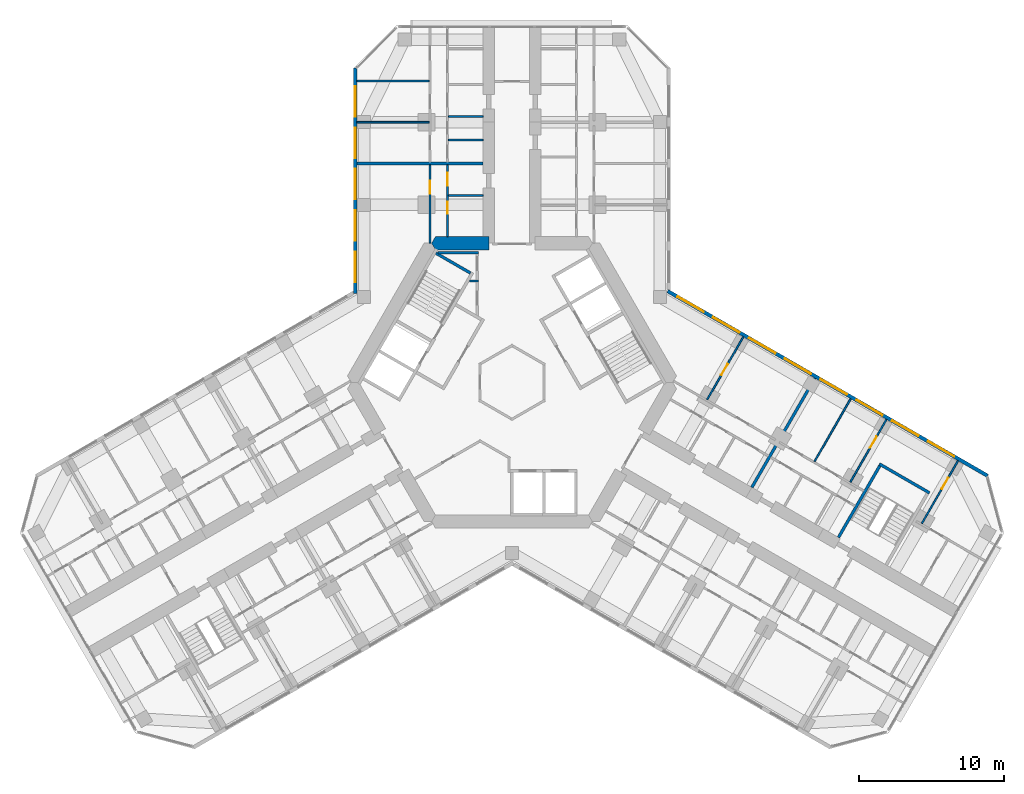
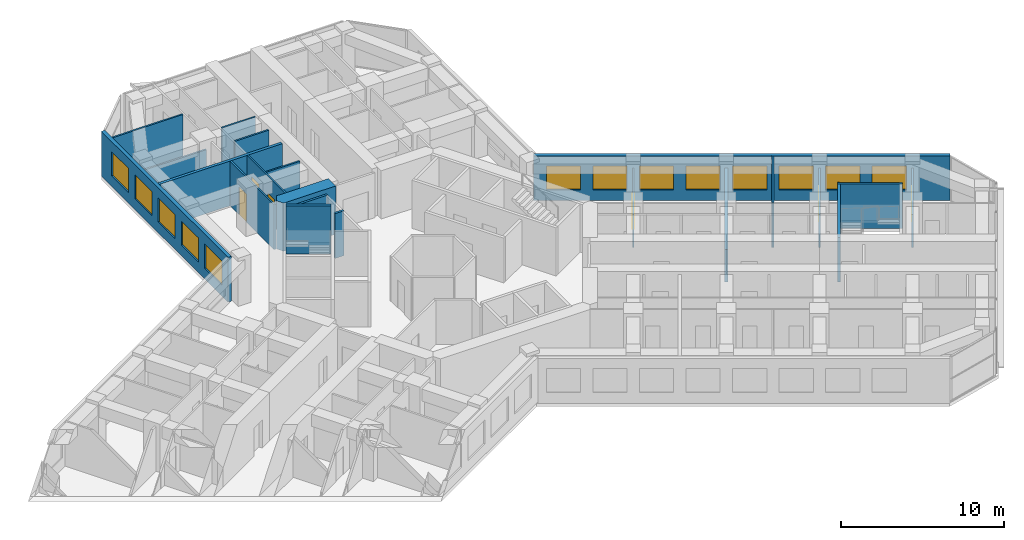
# One storey, part 16 of 19: 21 walls, 13 windows, 6 doors, 19 openings.
"""IFC4 building model written with IfcOpenShell, lengths in metres."""

from ifc_helpers import new_model, si_unit, direction, frame, frame_2d, origin, place, context, subcontext, project, spatial, polyline, rectangle, outline, extrude, material, layer, layer_set, type_object, element, fill, save


model = new_model("IFC4")

# Units and contexts
model_context = context("Model", 3, precision=1e-05, world=origin(), true_north=direction((0.0, 1.0)))
body_context = subcontext(model_context, "Body", "Model", "MODEL_VIEW")
ifc_project = project(units=[si_unit("LENGTHUNIT", "METRE"), si_unit("AREAUNIT", "SQUARE_METRE"), si_unit("VOLUMEUNIT", "CUBIC_METRE"), si_unit("PLANEANGLEUNIT", "RADIAN"), si_unit("MASSUNIT", "GRAM", prefix="KILO")], contexts=[model_context])

# Site, building, storey
site_placement = place(None, origin())
site = spatial("IfcSite", under=ifc_project, at=site_placement, CompositionType="ELEMENT")
building_placement = place(site_placement, origin())
building = spatial("IfcBuilding", under=site, at=building_placement, Name="Kosmar Iwan School Tower", CompositionType="ELEMENT")
storey_placement = place(building_placement, frame((0.0, 0.0, 161.60009765625)))
storey = spatial("IfcBuildingStorey", under=building, at=storey_placement, Name="L40", CompositionType="ELEMENT", Elevation=161.60009765625)

# Walls
ifc_material_1 = material(Name="Gypsum board on steel studs, fire-rated", Category="steel")
ifc_layer_1 = layer(ifc_material_1, 0.14990234375)
ifc_layer_set_1 = layer_set([ifc_layer_1], Name="Core room partition 150")
wall_type_1 = type_object("IfcWallType", Name="Core room partition 150", PredefinedType="PARTITIONING", material=ifc_layer_set_1)
wall_1_placement = place(storey_placement, frame((-2.324951171875, 6.985107421875, 0.0), z_axis=(0.0, 0.0, 1.0), x_axis=(-1.0, 0.0, 0.0)))
element("IfcWall", 1, at=wall_1_placement, inside=storey, type_object=wall_type_1, Name="Core room partition L40-CW2", PredefinedType="PARTITIONING", context=body_context, shape_type="SweptSolid", body=[
    extrude(rectangle(XDim=0.623779296875, YDim=0.14990234375, at=frame_2d((0.31201171875, 0.0))), origin(), (0.0, 0.0, 1.0), 3.349853515625),
])
wall_2_placement = place(storey_placement, frame((-5.089599609375, 8.93994140625, 0.0), z_axis=(0.0, 0.0, 1.0), x_axis=(1.0, 0.0, 0.0)))
element("IfcWall", 2, at=wall_2_placement, inside=storey, type_object=wall_type_1, Name="Core room partition L40-CW3", PredefinedType="PARTITIONING", context=body_context, shape_type="SweptSolid", body=[
    extrude(rectangle(XDim=2.7646484375, YDim=0.14990234375, at=frame_2d((1.38232421875, 0.0))), origin(), (0.0, 0.0, 1.0), 3.349853515625),
])
ifc_material_2 = material(Name="Concrete C50/60", Category="concrete")
ifc_layer_2 = layer(ifc_material_2, 0.89990234375)
ifc_layer_set_2 = layer_set([ifc_layer_2], Name="Core wall 900")
wall_type_2 = type_object("IfcWallType", Name="Core wall 900", PredefinedType="SHEAR", material=ifc_layer_set_2)
wall_3_placement = place(storey_placement, origin())
element("IfcWall", 3, at=wall_3_placement, inside=storey, type_object=wall_type_2, Name="Core wall F090b", PredefinedType="SHEAR", context=body_context, shape_type="SweptSolid", body=[
    extrude(outline(polyline([(-5.28271484375, 9.14990234375), (-1.60009765625, 9.14990234375), (-1.60009765625, 10.050048828125), (-5.28271484375, 10.050048828125), (-5.54248046875, 9.60009765625), (-5.28271484375, 9.14990234375)])), origin(), (0.0, 0.0, 1.0), 3.599853515625),
])

# Wall, openings, doors
ifc_material_3 = material(Name="Gypsum board on steel studs", Category="steel")
ifc_layer_3 = layer(ifc_material_3, 0.1201171875)
ifc_layer_set_3 = layer_set([ifc_layer_3], Name="Dwelling partition 120")
wall_type_3 = type_object("IfcWallType", Name="Dwelling partition 120", PredefinedType="PARTITIONING", material=ifc_layer_set_3)
wall_4_placement = place(storey_placement, frame((-4.449951171875, 10.050048828125, 0.0), z_axis=(0.0, 0.0, 1.0), x_axis=(0.0, 1.0, 0.0)))
wall_4 = element("IfcWall", 4, at=wall_4_placement, inside=storey, type_object=wall_type_3, Name="Partition L40-AL1-W1", PredefinedType="PARTITIONING", context=body_context, shape_type="SweptSolid", body=[
    extrude(rectangle(XDim=4.949951171875, YDim=0.1201171875, at=frame_2d((2.47509765625, 0.0))), origin(), (0.0, 0.0, 1.0), 3.349853515625),
])
opening_1_placement = place(wall_4_placement, frame((1.60009765625, 0.0, 0.0)))
opening_1 = element("IfcOpeningElement", 5, at=opening_1_placement, cuts=wall_4, Name="Opening D3", PredefinedType="OPENING", context=body_context, shape_type="SweptSolid", body=[
    extrude(rectangle(XDim=0.800048828125, YDim=2.10009765625, at=frame_2d((0.39990234375, 1.050048828125))), frame((0.0, 0.072021484375, 0.0), z_axis=(0.0, -1.0, 0.0), x_axis=(1.0, 0.0, 0.0)), (0.0, 0.0, 1.0), 0.14404296875),
])
opening_2_placement = place(wall_4_placement, frame((3.5, 0.0, 0.0)))
opening_2 = element("IfcOpeningElement", 6, at=opening_2_placement, cuts=wall_4, Name="Opening D2", PredefinedType="OPENING", context=body_context, shape_type="SweptSolid", body=[
    extrude(rectangle(XDim=0.89990234375, YDim=2.10009765625, at=frame_2d((0.449951171875, 1.050048828125))), frame((0.0, 0.072021484375, 0.0), z_axis=(0.0, -1.0, 0.0), x_axis=(1.0, 0.0, 0.0)), (0.0, 0.0, 1.0), 0.14404296875),
])
ifc_material_4 = material(Name="Timber door in timber frame", Category="wood")
door_type_1 = type_object("IfcDoorType", Name="Internal door 900x2100", OperationType="SINGLE_SWING_LEFT", PredefinedType="DOOR", material=ifc_material_4)
door_1_placement = place(opening_2_placement, origin())
door_1 = element("IfcDoor", 7, at=door_1_placement, inside=storey, type_object=door_type_1, Name="Entrance hall door L40-AL1-S2", OperationType="SINGLE_SWING_RIGHT", OverallHeight=2.10009765625, OverallWidth=0.89990234375, PredefinedType="DOOR", context=body_context, shape_type="SweptSolid", body=[
    extrude(rectangle(XDim=0.89990234375, YDim=2.10009765625, at=frame_2d((0.449951171875, 1.050048828125))), frame((0.0, 0.02490234375, 0.0), z_axis=(0.0, -1.0, 0.0), x_axis=(1.0, 0.0, 0.0)), (0.0, 0.0, 1.0), 0.050048828125),
])
fill(opening_2, door_1)
ifc_material_5 = material(Name="Timber door in timber frame", Category="wood")
door_type_2 = type_object("IfcDoorType", Name="Sanitary room door 800x2100", OperationType="SINGLE_SWING_LEFT", PredefinedType="DOOR", material=ifc_material_5)
door_2_placement = place(opening_1_placement, origin())
door_2 = element("IfcDoor", 8, at=door_2_placement, inside=storey, type_object=door_type_2, Name="Bathroom door L40-AL1-S1", OperationType="SINGLE_SWING_LEFT", OverallHeight=2.10009765625, OverallWidth=0.800048828125, PredefinedType="DOOR", context=body_context, shape_type="SweptSolid", body=[
    extrude(rectangle(XDim=0.800048828125, YDim=2.10009765625, at=frame_2d((0.39990234375, 1.050048828125))), frame((0.0, 0.02490234375, 0.0), z_axis=(0.0, -1.0, 0.0), x_axis=(1.0, 0.0, 0.0)), (0.0, 0.0, 1.0), 0.050048828125),
])
fill(opening_1, door_2)

# Wall, opening, door
wall_5_placement = place(storey_placement, frame((-5.64990234375, 9.60009765625, 0.0), z_axis=(0.0, 0.0, 1.0), x_axis=(0.0, 1.0, 0.0)))
wall_5 = element("IfcWall", 9, at=wall_5_placement, inside=storey, type_object=wall_type_3, Name="Partition L40-AL1-W2", PredefinedType="PARTITIONING", context=body_context, shape_type="SweptSolid", body=[
    extrude(rectangle(XDim=5.39990234375, YDim=0.1201171875, at=frame_2d((2.699951171875, 0.0))), origin(), (0.0, 0.0, 1.0), 3.349853515625),
])
opening_3_placement = place(wall_5_placement, frame((3.39990234375, 0.0, 0.0)))
opening_3 = element("IfcOpeningElement", 10, at=opening_3_placement, cuts=wall_5, Name="Opening D2", PredefinedType="OPENING", context=body_context, shape_type="SweptSolid", body=[
    extrude(rectangle(XDim=0.89990234375, YDim=2.10009765625, at=frame_2d((0.449951171875, 1.050048828125))), frame((0.0, 0.072021484375, 0.0), z_axis=(0.0, -1.0, 0.0), x_axis=(1.0, 0.0, 0.0)), (0.0, 0.0, 1.0), 0.14404296875),
])
door_3_placement = place(opening_3_placement, origin())
door_3 = element("IfcDoor", 11, at=door_3_placement, inside=storey, type_object=door_type_1, Name="Studio living room and kitchen door L40-AL1-F1", OperationType="SINGLE_SWING_RIGHT", OverallHeight=2.10009765625, OverallWidth=0.89990234375, PredefinedType="DOOR", context=body_context, shape_type="SweptSolid", body=[
    extrude(rectangle(XDim=0.89990234375, YDim=2.10009765625, at=frame_2d((0.449951171875, 1.050048828125))), frame((0.0, 0.02490234375, 0.0), z_axis=(0.0, -1.0, 0.0), x_axis=(1.0, 0.0, 0.0)), (0.0, 0.0, 1.0), 0.050048828125),
])
fill(opening_3, door_3)

# Walls
wall_6_placement = place(storey_placement, frame((-2.0, 12.89990234375, 0.0), z_axis=(0.0, 0.0, 1.0), x_axis=(-1.0, 0.0, 0.0)))
element("IfcWall", 12, at=wall_6_placement, inside=storey, type_object=wall_type_3, Name="Partition L40-AL1-Y1", PredefinedType="PARTITIONING", context=body_context, shape_type="SweptSolid", body=[
    extrude(rectangle(XDim=2.389892578125, YDim=0.1201171875, at=frame_2d((1.19482421875, 0.0))), origin(), (0.0, 0.0, 1.0), 3.349853515625),
])
wall_7_placement = place(storey_placement, frame((-5.7099609375, 17.949951171875, 0.0), z_axis=(0.0, 0.0, 1.0), x_axis=(-1.0, 0.0, 0.0)))
element("IfcWall", 13, at=wall_7_placement, inside=storey, type_object=wall_type_3, Name="Partition L40-AL2-X1", PredefinedType="PARTITIONING", context=body_context, shape_type="SweptSolid", body=[
    extrude(rectangle(XDim=4.989990234375, YDim=0.1201171875, at=frame_2d((2.4951171875, 0.0))), origin(), (0.0, 0.0, 1.0), 2.449951171875),
])
wall_8_placement = place(storey_placement, frame((-5.7099609375, 20.800048828125, 0.0), z_axis=(0.0, 0.0, 1.0), x_axis=(-1.0, 0.0, 0.0)))
element("IfcWall", 14, at=wall_8_placement, inside=storey, type_object=wall_type_3, Name="Partition L40-AL2-X2", PredefinedType="PARTITIONING", context=body_context, shape_type="SweptSolid", body=[
    extrude(rectangle(XDim=4.989990234375, YDim=0.1201171875, at=frame_2d((2.4951171875, 0.0))), origin(), (0.0, 0.0, 1.0), 3.349853515625),
])
for number, where, z_axis, x_axis, name in (
    (15, (-2.0, 16.72509765625, 0.0), (0.0, 0.0, 1.0), (-1.0, 0.0, 0.0), "Partition L40-AL2-Y1"),
    (16, (-2.0, 18.35009765625, 0.0), (0.0, 0.0, 1.0), (-1.0, 0.0, 0.0), "Partition L40-AL2-Y2"),
):
    element("IfcWall", number, at=place(storey_placement, frame(where, z_axis=z_axis, x_axis=x_axis)), inside=storey, type_object=wall_type_3, Name=name, PredefinedType="PARTITIONING", context=body_context, shape_type="SweptSolid", body=[
        extrude(rectangle(XDim=2.389892578125, YDim=0.1201171875, at=frame_2d((1.19482421875, 0.0))), origin(), (0.0, 0.0, 1.0), 3.349853515625),
    ])

# Wall, opening, door
wall_9_placement = place(storey_placement, frame((13.4638671875, -1.179931640625, 0.0), z_axis=(0.0, 0.0, 1.0), x_axis=(0.499975153383, 0.86603974851, 0.0)))
wall_9 = element("IfcWall", 17, at=wall_9_placement, inside=storey, type_object=wall_type_3, Name="Partition L40-CL1-X1", PredefinedType="PARTITIONING", context=body_context, shape_type="SweptSolid", body=[
    extrude(rectangle(XDim=4.989990234375, YDim=0.1201171875, at=frame_2d((2.4951171875, 0.0))), origin(), (0.0, 0.0, 1.0), 2.449951171875),
])
opening_4_placement = place(wall_9_placement, frame((1.93994140625, 0.0, 0.0)))
opening_4 = element("IfcOpeningElement", 18, at=opening_4_placement, cuts=wall_9, Name="Opening D2", PredefinedType="OPENING", context=body_context, shape_type="SweptSolid", body=[
    extrude(rectangle(XDim=0.89990234375, YDim=2.10009765625, at=frame_2d((0.449951171875, 1.050048828125))), frame((0.0, 0.072021484375, 0.0), z_axis=(0.0, -1.0, 0.0), x_axis=(1.0, 0.0, 0.0)), (0.0, 0.0, 1.0), 0.14404296875),
])
door_4_placement = place(opening_4_placement, origin())
door_4 = element("IfcDoor", 19, at=door_4_placement, inside=storey, type_object=door_type_1, Name="Kitchen and dining room door L40-CL1-F1", OperationType="SINGLE_SWING_LEFT", OverallHeight=2.10009765625, OverallWidth=0.89990234375, PredefinedType="DOOR", context=body_context, shape_type="SweptSolid", body=[
    extrude(rectangle(XDim=0.89990234375, YDim=2.10009765625, at=frame_2d((0.449951171875, 1.050048828125))), frame((0.0, 0.02490234375, 0.0), z_axis=(0.0, -1.0, 0.0), x_axis=(1.0, 0.0, 0.0)), (0.0, 0.0, 1.0), 0.050048828125),
])
fill(opening_4, door_4)

# Wall
wall_10_placement = place(storey_placement, frame((20.868408203125, -5.455078125, 0.0), z_axis=(0.0, 0.0, 1.0), x_axis=(0.499975153383, 0.86603974851, 0.0)))
element("IfcWall", 20, at=wall_10_placement, inside=storey, type_object=wall_type_3, Name="Partition L40-CL2-X1", PredefinedType="PARTITIONING", context=body_context, shape_type="SweptSolid", body=[
    extrude(rectangle(XDim=4.989990234375, YDim=0.1201171875, at=frame_2d((2.4951171875, 0.0))), origin(), (0.0, 0.0, 1.0), 3.349853515625),
])

# Wall, opening, door
wall_11_placement = place(storey_placement, frame((23.33642578125, -6.8798828125, 0.0), z_axis=(0.0, 0.0, 1.0), x_axis=(0.500033033937, 0.866006330792, 0.0)))
wall_11 = element("IfcWall", 21, at=wall_11_placement, inside=storey, type_object=wall_type_3, Name="Partition L40-CL2-TB", PredefinedType="PARTITIONING", context=body_context, shape_type="SweptSolid", body=[
    extrude(rectangle(XDim=4.989990234375, YDim=0.1201171875, at=frame_2d((2.4951171875, 0.0))), origin(), (0.0, 0.0, 1.0), 2.449951171875),
])
opening_5_placement = place(wall_11_placement, frame((2.739990234375, 0.0, 0.0)))
opening_5 = element("IfcOpeningElement", 22, at=opening_5_placement, cuts=wall_11, Name="Opening D2", PredefinedType="OPENING", context=body_context, shape_type="SweptSolid", body=[
    extrude(rectangle(XDim=0.89990234375, YDim=2.10009765625, at=frame_2d((0.449951171875, 1.050048828125))), frame((0.0, 0.072021484375, 0.0), z_axis=(0.0, -1.0, 0.0), x_axis=(1.0, 0.0, 0.0)), (0.0, 0.0, 1.0), 0.14404296875),
])
door_5_placement = place(opening_5_placement, origin())
door_5 = element("IfcDoor", 23, at=door_5_placement, inside=storey, type_object=door_type_1, Name="Study door L40-CL2-F2", OperationType="SINGLE_SWING_RIGHT", OverallHeight=2.10009765625, OverallWidth=0.89990234375, PredefinedType="DOOR", context=body_context, shape_type="SweptSolid", body=[
    extrude(rectangle(XDim=0.89990234375, YDim=2.10009765625, at=frame_2d((0.449951171875, 1.050048828125))), frame((0.0, 0.02490234375, 0.0), z_axis=(0.0, -1.0, 0.0), x_axis=(1.0, 0.0, 0.0)), (0.0, 0.0, 1.0), 0.050048828125),
])
fill(opening_5, door_5)

wall_12_placement = place(storey_placement, frame((28.27294921875, -9.72998046875, 0.0), z_axis=(0.0, 0.0, 1.0), x_axis=(0.499975153383, 0.86603974851, 0.0)))
wall_12 = element("IfcWall", 24, at=wall_12_placement, inside=storey, type_object=wall_type_3, Name="Partition L40-CL2-TX", PredefinedType="PARTITIONING", context=body_context, shape_type="SweptSolid", body=[
    extrude(rectangle(XDim=4.989990234375, YDim=0.1201171875, at=frame_2d((2.4951171875, 0.0))), origin(), (0.0, 0.0, 1.0), 2.449951171875),
])
opening_6_placement = place(wall_12_placement, frame((2.739990234375, 0.0, 0.0)))
opening_6 = element("IfcOpeningElement", 25, at=opening_6_placement, cuts=wall_12, Name="Opening D2", PredefinedType="OPENING", context=body_context, shape_type="SweptSolid", body=[
    extrude(rectangle(XDim=0.89990234375, YDim=2.10009765625, at=frame_2d((0.449951171875, 1.050048828125))), frame((0.0, 0.072021484375, 0.0), z_axis=(0.0, -1.0, 0.0), x_axis=(1.0, 0.0, 0.0)), (0.0, 0.0, 1.0), 0.14404296875),
])
door_6_placement = place(opening_6_placement, origin())
door_6 = element("IfcDoor", 26, at=door_6_placement, inside=storey, type_object=door_type_1, Name="Study door L40-CL2-T1", OperationType="SINGLE_SWING_RIGHT", OverallHeight=2.10009765625, OverallWidth=0.89990234375, PredefinedType="DOOR", context=body_context, shape_type="SweptSolid", body=[
    extrude(rectangle(XDim=0.89990234375, YDim=2.10009765625, at=frame_2d((0.449951171875, 1.050048828125))), frame((0.0, 0.02490234375, 0.0), z_axis=(0.0, -1.0, 0.0), x_axis=(1.0, 0.0, 0.0)), (0.0, 0.0, 1.0), 0.050048828125),
])
fill(opening_6, door_6)

# Walls
ifc_material_6 = material(Name="Concrete C35/45", Category="concrete")
ifc_layer_4 = layer(ifc_material_6, 0.199951171875)
ifc_layer_set_4 = layer_set([ifc_layer_4], Name="Escape stair wall 200")
wall_type_4 = type_object("IfcWallType", Name="Escape stair wall 200", PredefinedType="SHEAR", material=ifc_layer_set_4)
wall_13_placement = place(storey_placement, frame((22.520751953125, -10.69287109375, 0.0), z_axis=(0.0, 0.0, 1.0), x_axis=(0.500006628179, 0.86602157697, 0.0)))
element("IfcWall", 27, at=wall_13_placement, inside=storey, type_object=wall_type_4, Name="Stair WS3 wall", PredefinedType="SHEAR", context=body_context, shape_type="SweptSolid", body=[
    extrude(rectangle(XDim=5.89990234375, YDim=0.199951171875, at=frame_2d((2.949951171875, 0.0))), origin(), (0.0, 0.0, 1.0), 3.329833984375),
])
wall_14_placement = place(storey_placement, frame((25.334228515625, -5.6201171875, 0.0), z_axis=(0.0, 0.0, 1.0), x_axis=(0.866026010844, -0.49999894854, 0.0)))
element("IfcWall", 28, at=wall_14_placement, inside=storey, type_object=wall_type_4, Name="Stair WS3 wall", PredefinedType="SHEAR", context=body_context, shape_type="SweptSolid", body=[
    extrude(rectangle(XDim=4.0, YDim=0.199951171875, at=frame_2d((2.0, 0.0))), origin(), (0.0, 0.0, 1.0), 3.329833984375),
])

# Wall, openings, windows
ifc_material_7 = material(Name="Black aluminium rainscreen on insulated framing", Category="aluminium")
ifc_layer_5 = layer(ifc_material_7, 0.25)
ifc_layer_set_5 = layer_set([ifc_layer_5], Name="External wall rainscreen 250")
wall_type_5 = type_object("IfcWallType", Name="External wall rainscreen 250", PredefinedType="SOLIDWALL", material=ifc_layer_set_5)
wall_15_placement = place(storey_placement, frame((10.73681640625, 6.30078125, 0.0), z_axis=(0.0, 0.0, 1.0), x_axis=(0.866026390279, -0.499998291337, 0.0)))
wall_15 = element("IfcWall", 29, at=wall_15_placement, inside=storey, type_object=wall_type_5, Name="External wall CL L40", PredefinedType="SOLIDWALL", context=body_context, shape_type="SweptSolid", body=[
    extrude(rectangle(XDim=25.4873046875, YDim=0.25, at=frame_2d((12.74365234375, 0.0))), origin(), (0.0, 0.0, 1.0), 3.349853515625),
])
opening_7_placement = place(wall_15_placement, frame((0.777099609375, 0.0, 0.800048828125)))
opening_7 = element("IfcOpeningElement", 30, at=opening_7_placement, cuts=wall_15, Name="Opening W4", PredefinedType="OPENING", context=body_context, shape_type="SweptSolid", body=[
    extrude(rectangle(XDim=2.10009765625, YDim=1.800048828125, at=frame_2d((1.050048828125, 0.89990234375))), frame((0.0, 0.136962890625, 0.0), z_axis=(0.0, -1.0, 0.0), x_axis=(1.0, 0.0, 0.0)), (0.0, 0.0, 1.0), 0.27392578125),
])
opening_8_placement = place(wall_15_placement, frame((3.626953125, 0.0, 0.800048828125)))
opening_8 = element("IfcOpeningElement", 31, at=opening_8_placement, cuts=wall_15, Name="Opening W4", PredefinedType="OPENING", context=body_context, shape_type="SweptSolid", body=[
    extrude(rectangle(XDim=2.10009765625, YDim=1.800048828125, at=frame_2d((1.050048828125, 0.89990234375))), frame((0.0, 0.136962890625, 0.0), z_axis=(0.0, -1.0, 0.0), x_axis=(1.0, 0.0, 0.0)), (0.0, 0.0, 1.0), 0.27392578125),
])
opening_9_placement = place(wall_15_placement, frame((6.47705078125, 0.0, 0.800048828125)))
opening_9 = element("IfcOpeningElement", 32, at=opening_9_placement, cuts=wall_15, Name="Opening W4", PredefinedType="OPENING", context=body_context, shape_type="SweptSolid", body=[
    extrude(rectangle(XDim=2.10009765625, YDim=1.800048828125, at=frame_2d((1.050048828125, 0.89990234375))), frame((0.0, 0.136962890625, 0.0), z_axis=(0.0, -1.0, 0.0), x_axis=(1.0, 0.0, 0.0)), (0.0, 0.0, 1.0), 0.27392578125),
])
opening_10_placement = place(wall_15_placement, frame((9.326904296875, 0.0, 0.800048828125)))
opening_10 = element("IfcOpeningElement", 33, at=opening_10_placement, cuts=wall_15, Name="Opening W4", PredefinedType="OPENING", context=body_context, shape_type="SweptSolid", body=[
    extrude(rectangle(XDim=2.10009765625, YDim=1.800048828125, at=frame_2d((1.050048828125, 0.89990234375))), frame((0.0, 0.136962890625, 0.0), z_axis=(0.0, -1.0, 0.0), x_axis=(1.0, 0.0, 0.0)), (0.0, 0.0, 1.0), 0.27392578125),
])
opening_11_placement = place(wall_15_placement, frame((12.177001953125, 0.0, 0.800048828125)))
opening_11 = element("IfcOpeningElement", 34, at=opening_11_placement, cuts=wall_15, Name="Opening W4", PredefinedType="OPENING", context=body_context, shape_type="SweptSolid", body=[
    extrude(rectangle(XDim=2.10009765625, YDim=1.800048828125, at=frame_2d((1.050048828125, 0.89990234375))), frame((0.0, 0.136962890625, 0.0), z_axis=(0.0, -1.0, 0.0), x_axis=(1.0, 0.0, 0.0)), (0.0, 0.0, 1.0), 0.27392578125),
])
opening_12_placement = place(wall_15_placement, frame((15.027099609375, 0.0, 0.800048828125)))
opening_12 = element("IfcOpeningElement", 35, at=opening_12_placement, cuts=wall_15, Name="Opening W4", PredefinedType="OPENING", context=body_context, shape_type="SweptSolid", body=[
    extrude(rectangle(XDim=2.10009765625, YDim=1.800048828125, at=frame_2d((1.050048828125, 0.89990234375))), frame((0.0, 0.136962890625, 0.0), z_axis=(0.0, -1.0, 0.0), x_axis=(1.0, 0.0, 0.0)), (0.0, 0.0, 1.0), 0.27392578125),
])
opening_13_placement = place(wall_15_placement, frame((17.876953125, 0.0, 0.800048828125)))
opening_13 = element("IfcOpeningElement", 36, at=opening_13_placement, cuts=wall_15, Name="Opening W4", PredefinedType="OPENING", context=body_context, shape_type="SweptSolid", body=[
    extrude(rectangle(XDim=2.10009765625, YDim=1.800048828125, at=frame_2d((1.050048828125, 0.89990234375))), frame((0.0, 0.136962890625, 0.0), z_axis=(0.0, -1.0, 0.0), x_axis=(1.0, 0.0, 0.0)), (0.0, 0.0, 1.0), 0.27392578125),
])
opening_14_placement = place(wall_15_placement, frame((20.72705078125, 0.0, 0.800048828125)))
opening_14 = element("IfcOpeningElement", 37, at=opening_14_placement, cuts=wall_15, Name="Opening W4", PredefinedType="OPENING", context=body_context, shape_type="SweptSolid", body=[
    extrude(rectangle(XDim=2.10009765625, YDim=1.800048828125, at=frame_2d((1.050048828125, 0.89990234375))), frame((0.0, 0.136962890625, 0.0), z_axis=(0.0, -1.0, 0.0), x_axis=(1.0, 0.0, 0.0)), (0.0, 0.0, 1.0), 0.27392578125),
])
ifc_material_8 = material(Name="Black aluminium frame with dark triple glazing", Category="aluminium")
window_type = type_object("IfcWindowType", Name="Window 2100x1800", PartitioningType="SINGLE_PANEL", PredefinedType="WINDOW", material=ifc_material_8)
window_1_placement = place(opening_7_placement, origin())
window_1 = element("IfcWindow", 38, at=window_1_placement, inside=storey, type_object=window_type, Name="Window CL L40 -1", OverallHeight=1.800048828125, OverallWidth=2.10009765625, PartitioningType="SINGLE_PANEL", PredefinedType="WINDOW", context=body_context, shape_type="SweptSolid", body=[
    extrude(rectangle(XDim=2.10009765625, YDim=1.800048828125, at=frame_2d((1.050048828125, 0.89990234375))), frame((0.0, 0.030029296875, 0.0), z_axis=(0.0, -1.0, 0.0), x_axis=(1.0, 0.0, 0.0)), (0.0, 0.0, 1.0), 0.06005859375),
])
fill(opening_7, window_1)
window_2_placement = place(opening_8_placement, origin())
window_2 = element("IfcWindow", 39, at=window_2_placement, inside=storey, type_object=window_type, Name="Window CL L40 0", OverallHeight=1.800048828125, OverallWidth=2.10009765625, PartitioningType="SINGLE_PANEL", PredefinedType="WINDOW", context=body_context, shape_type="SweptSolid", body=[
    extrude(rectangle(XDim=2.10009765625, YDim=1.800048828125, at=frame_2d((1.050048828125, 0.89990234375))), frame((0.0, 0.030029296875, 0.0), z_axis=(0.0, -1.0, 0.0), x_axis=(1.0, 0.0, 0.0)), (0.0, 0.0, 1.0), 0.06005859375),
])
fill(opening_8, window_2)
window_3_placement = place(opening_9_placement, origin())
window_3 = element("IfcWindow", 40, at=window_3_placement, inside=storey, type_object=window_type, Name="Window CL L40 1", OverallHeight=1.800048828125, OverallWidth=2.10009765625, PartitioningType="SINGLE_PANEL", PredefinedType="WINDOW", context=body_context, shape_type="SweptSolid", body=[
    extrude(rectangle(XDim=2.10009765625, YDim=1.800048828125, at=frame_2d((1.050048828125, 0.89990234375))), frame((0.0, 0.030029296875, 0.0), z_axis=(0.0, -1.0, 0.0), x_axis=(1.0, 0.0, 0.0)), (0.0, 0.0, 1.0), 0.06005859375),
])
fill(opening_9, window_3)
window_4_placement = place(opening_10_placement, origin())
window_4 = element("IfcWindow", 41, at=window_4_placement, inside=storey, type_object=window_type, Name="Window CL L40 2", OverallHeight=1.800048828125, OverallWidth=2.10009765625, PartitioningType="SINGLE_PANEL", PredefinedType="WINDOW", context=body_context, shape_type="SweptSolid", body=[
    extrude(rectangle(XDim=2.10009765625, YDim=1.800048828125, at=frame_2d((1.050048828125, 0.89990234375))), frame((0.0, 0.030029296875, 0.0), z_axis=(0.0, -1.0, 0.0), x_axis=(1.0, 0.0, 0.0)), (0.0, 0.0, 1.0), 0.06005859375),
])
fill(opening_10, window_4)
window_5_placement = place(opening_11_placement, origin())
window_5 = element("IfcWindow", 42, at=window_5_placement, inside=storey, type_object=window_type, Name="Window CL L40 3", OverallHeight=1.800048828125, OverallWidth=2.10009765625, PartitioningType="SINGLE_PANEL", PredefinedType="WINDOW", context=body_context, shape_type="SweptSolid", body=[
    extrude(rectangle(XDim=2.10009765625, YDim=1.800048828125, at=frame_2d((1.050048828125, 0.89990234375))), frame((0.0, 0.030029296875, 0.0), z_axis=(0.0, -1.0, 0.0), x_axis=(1.0, 0.0, 0.0)), (0.0, 0.0, 1.0), 0.06005859375),
])
fill(opening_11, window_5)
window_6_placement = place(opening_12_placement, origin())
window_6 = element("IfcWindow", 43, at=window_6_placement, inside=storey, type_object=window_type, Name="Window CL L40 4", OverallHeight=1.800048828125, OverallWidth=2.10009765625, PartitioningType="SINGLE_PANEL", PredefinedType="WINDOW", context=body_context, shape_type="SweptSolid", body=[
    extrude(rectangle(XDim=2.10009765625, YDim=1.800048828125, at=frame_2d((1.050048828125, 0.89990234375))), frame((0.0, 0.030029296875, 0.0), z_axis=(0.0, -1.0, 0.0), x_axis=(1.0, 0.0, 0.0)), (0.0, 0.0, 1.0), 0.06005859375),
])
fill(opening_12, window_6)
window_7_placement = place(opening_13_placement, origin())
window_7 = element("IfcWindow", 44, at=window_7_placement, inside=storey, type_object=window_type, Name="Window CL L40 5", OverallHeight=1.800048828125, OverallWidth=2.10009765625, PartitioningType="SINGLE_PANEL", PredefinedType="WINDOW", context=body_context, shape_type="SweptSolid", body=[
    extrude(rectangle(XDim=2.10009765625, YDim=1.800048828125, at=frame_2d((1.050048828125, 0.89990234375))), frame((0.0, 0.030029296875, 0.0), z_axis=(0.0, -1.0, 0.0), x_axis=(1.0, 0.0, 0.0)), (0.0, 0.0, 1.0), 0.06005859375),
])
fill(opening_13, window_7)
window_8_placement = place(opening_14_placement, origin())
window_8 = element("IfcWindow", 45, at=window_8_placement, inside=storey, type_object=window_type, Name="Window CL L40 6", OverallHeight=1.800048828125, OverallWidth=2.10009765625, PartitioningType="SINGLE_PANEL", PredefinedType="WINDOW", context=body_context, shape_type="SweptSolid", body=[
    extrude(rectangle(XDim=2.10009765625, YDim=1.800048828125, at=frame_2d((1.050048828125, 0.89990234375))), frame((0.0, 0.030029296875, 0.0), z_axis=(0.0, -1.0, 0.0), x_axis=(1.0, 0.0, 0.0)), (0.0, 0.0, 1.0), 0.06005859375),
])
fill(opening_14, window_8)

wall_16_placement = place(storey_placement, frame((-10.824951171875, 6.14794921875, 0.0), z_axis=(0.0, 0.0, 1.0), x_axis=(0.0, 1.0, 0.0)))
wall_16 = element("IfcWall", 46, at=wall_16_placement, inside=storey, type_object=wall_type_5, Name="External wall AL L40", PredefinedType="SOLIDWALL", context=body_context, shape_type="SweptSolid", body=[
    extrude(rectangle(XDim=15.537353515625, YDim=0.25, at=frame_2d((7.7685546875, 0.0))), origin(), (0.0, 0.0, 1.0), 3.349853515625),
])
opening_15_placement = place(wall_16_placement, frame((0.777099609375, 0.0, 0.800048828125)))
opening_15 = element("IfcOpeningElement", 47, at=opening_15_placement, cuts=wall_16, Name="Opening W4", PredefinedType="OPENING", context=body_context, shape_type="SweptSolid", body=[
    extrude(rectangle(XDim=2.10009765625, YDim=1.800048828125, at=frame_2d((1.050048828125, 0.89990234375))), frame((0.0, 0.136962890625, 0.0), z_axis=(0.0, -1.0, 0.0), x_axis=(1.0, 0.0, 0.0)), (0.0, 0.0, 1.0), 0.27392578125),
])
opening_16_placement = place(wall_16_placement, frame((3.626953125, 0.0, 0.800048828125)))
opening_16 = element("IfcOpeningElement", 48, at=opening_16_placement, cuts=wall_16, Name="Opening W4", PredefinedType="OPENING", context=body_context, shape_type="SweptSolid", body=[
    extrude(rectangle(XDim=2.10009765625, YDim=1.800048828125, at=frame_2d((1.050048828125, 0.89990234375))), frame((0.0, 0.136962890625, 0.0), z_axis=(0.0, -1.0, 0.0), x_axis=(1.0, 0.0, 0.0)), (0.0, 0.0, 1.0), 0.27392578125),
])
opening_17_placement = place(wall_16_placement, frame((6.47705078125, 0.0, 0.800048828125)))
opening_17 = element("IfcOpeningElement", 49, at=opening_17_placement, cuts=wall_16, Name="Opening W4", PredefinedType="OPENING", context=body_context, shape_type="SweptSolid", body=[
    extrude(rectangle(XDim=2.10009765625, YDim=1.800048828125, at=frame_2d((1.050048828125, 0.89990234375))), frame((0.0, 0.136962890625, 0.0), z_axis=(0.0, -1.0, 0.0), x_axis=(1.0, 0.0, 0.0)), (0.0, 0.0, 1.0), 0.27392578125),
])
opening_18_placement = place(wall_16_placement, frame((9.326904296875, 0.0, 0.800048828125)))
opening_18 = element("IfcOpeningElement", 50, at=opening_18_placement, cuts=wall_16, Name="Opening W4", PredefinedType="OPENING", context=body_context, shape_type="SweptSolid", body=[
    extrude(rectangle(XDim=2.10009765625, YDim=1.800048828125, at=frame_2d((1.050048828125, 0.89990234375))), frame((0.0, 0.136962890625, 0.0), z_axis=(0.0, -1.0, 0.0), x_axis=(1.0, 0.0, 0.0)), (0.0, 0.0, 1.0), 0.27392578125),
])
opening_19_placement = place(wall_16_placement, frame((12.177001953125, 0.0, 0.800048828125)))
opening_19 = element("IfcOpeningElement", 51, at=opening_19_placement, cuts=wall_16, Name="Opening W4", PredefinedType="OPENING", context=body_context, shape_type="SweptSolid", body=[
    extrude(rectangle(XDim=2.10009765625, YDim=1.800048828125, at=frame_2d((1.050048828125, 0.89990234375))), frame((0.0, 0.136962890625, 0.0), z_axis=(0.0, -1.0, 0.0), x_axis=(1.0, 0.0, 0.0)), (0.0, 0.0, 1.0), 0.27392578125),
])
window_9_placement = place(opening_15_placement, origin())
window_9 = element("IfcWindow", 52, at=window_9_placement, inside=storey, type_object=window_type, Name="Window AL L40 -1", OverallHeight=1.800048828125, OverallWidth=2.10009765625, PartitioningType="SINGLE_PANEL", PredefinedType="WINDOW", context=body_context, shape_type="SweptSolid", body=[
    extrude(rectangle(XDim=2.10009765625, YDim=1.800048828125, at=frame_2d((1.050048828125, 0.89990234375))), frame((0.0, 0.030029296875, 0.0), z_axis=(0.0, -1.0, 0.0), x_axis=(1.0, 0.0, 0.0)), (0.0, 0.0, 1.0), 0.06005859375),
])
fill(opening_15, window_9)
window_10_placement = place(opening_16_placement, origin())
window_10 = element("IfcWindow", 53, at=window_10_placement, inside=storey, type_object=window_type, Name="Window AL L40 0", OverallHeight=1.800048828125, OverallWidth=2.10009765625, PartitioningType="SINGLE_PANEL", PredefinedType="WINDOW", context=body_context, shape_type="SweptSolid", body=[
    extrude(rectangle(XDim=2.10009765625, YDim=1.800048828125, at=frame_2d((1.050048828125, 0.89990234375))), frame((0.0, 0.030029296875, 0.0), z_axis=(0.0, -1.0, 0.0), x_axis=(1.0, 0.0, 0.0)), (0.0, 0.0, 1.0), 0.06005859375),
])
fill(opening_16, window_10)
window_11_placement = place(opening_17_placement, origin())
window_11 = element("IfcWindow", 54, at=window_11_placement, inside=storey, type_object=window_type, Name="Window AL L40 1", OverallHeight=1.800048828125, OverallWidth=2.10009765625, PartitioningType="SINGLE_PANEL", PredefinedType="WINDOW", context=body_context, shape_type="SweptSolid", body=[
    extrude(rectangle(XDim=2.10009765625, YDim=1.800048828125, at=frame_2d((1.050048828125, 0.89990234375))), frame((0.0, 0.030029296875, 0.0), z_axis=(0.0, -1.0, 0.0), x_axis=(1.0, 0.0, 0.0)), (0.0, 0.0, 1.0), 0.06005859375),
])
fill(opening_17, window_11)
window_12_placement = place(opening_18_placement, origin())
window_12 = element("IfcWindow", 55, at=window_12_placement, inside=storey, type_object=window_type, Name="Window AL L40 2", OverallHeight=1.800048828125, OverallWidth=2.10009765625, PartitioningType="SINGLE_PANEL", PredefinedType="WINDOW", context=body_context, shape_type="SweptSolid", body=[
    extrude(rectangle(XDim=2.10009765625, YDim=1.800048828125, at=frame_2d((1.050048828125, 0.89990234375))), frame((0.0, 0.030029296875, 0.0), z_axis=(0.0, -1.0, 0.0), x_axis=(1.0, 0.0, 0.0)), (0.0, 0.0, 1.0), 0.06005859375),
])
fill(opening_18, window_12)
window_13_placement = place(opening_19_placement, origin())
window_13 = element("IfcWindow", 56, at=window_13_placement, inside=storey, type_object=window_type, Name="Window AL L40 3", OverallHeight=1.800048828125, OverallWidth=2.10009765625, PartitioningType="SINGLE_PANEL", PredefinedType="WINDOW", context=body_context, shape_type="SweptSolid", body=[
    extrude(rectangle(XDim=2.10009765625, YDim=1.800048828125, at=frame_2d((1.050048828125, 0.89990234375))), frame((0.0, 0.030029296875, 0.0), z_axis=(0.0, -1.0, 0.0), x_axis=(1.0, 0.0, 0.0)), (0.0, 0.0, 1.0), 0.06005859375),
])
fill(opening_19, window_13)

# Walls
ifc_material_9 = material(Name="Concrete block masonry", Category="masonry")
ifc_layer_6 = layer(ifc_material_9, 0.199951171875)
ifc_layer_set_6 = layer_set([ifc_layer_6], Name="Party wall 200")
wall_type_6 = type_object("IfcWallType", Name="Party wall 200", PredefinedType="PARTITIONING", material=ifc_layer_set_6)
wall_17_placement = place(storey_placement, frame((-2.0, 15.10009765625, 0.0), z_axis=(0.0, 0.0, 1.0), x_axis=(-1.0, 0.0, 0.0)))
element("IfcWall", 57, at=wall_17_placement, inside=storey, type_object=wall_type_6, Name="Partition L40-AL2-PW", PredefinedType="PARTITIONING", context=body_context, shape_type="SweptSolid", body=[
    extrude(rectangle(XDim=8.699951171875, YDim=0.199951171875, at=frame_2d((4.35009765625, 0.0))), origin(), (0.0, 0.0, 1.0), 3.349853515625),
])
wall_18_placement = place(storey_placement, frame((16.545166015625, -7.242919921875, 0.0), z_axis=(0.0, 0.0, 1.0), x_axis=(0.500008278454, 0.866020624164, 0.0)))
element("IfcWall", 58, at=wall_18_placement, inside=storey, type_object=wall_type_6, Name="Partition L40-CL2-PW", PredefinedType="PARTITIONING", context=body_context, shape_type="SweptSolid", body=[
    extrude(rectangle(XDim=8.699951171875, YDim=0.199951171875, at=frame_2d((4.35009765625, 0.0))), origin(), (0.0, 0.0, 1.0), 2.449951171875),
])
ifc_material_10 = material(Name="Concrete C50/60", Category="concrete")
ifc_layer_7 = layer(ifc_material_10, 0.199951171875)
ifc_layer_set_7 = layer_set([ifc_layer_7], Name="Stair enclosure wall 200")
wall_type_7 = type_object("IfcWallType", Name="Stair enclosure wall 200", PredefinedType="SHEAR", material=ifc_layer_set_7)
wall_19_placement = place(storey_placement, frame((-2.862548828125, 7.541748046875, 0.0), z_axis=(0.0, 0.0, 1.0), x_axis=(-0.866027397988, 0.499996545922, 0.0)))
element("IfcWall", 59, at=wall_19_placement, inside=storey, type_object=wall_type_7, Name="Stair ST2 wall", PredefinedType="SHEAR", context=body_context, shape_type="SweptSolid", body=[
    extrude(rectangle(XDim=2.75, YDim=0.199951171875, at=frame_2d((1.375, 0.0))), origin(), (0.0, 0.0, 1.0), 3.599853515625),
])

save(model, "model.ifc")
